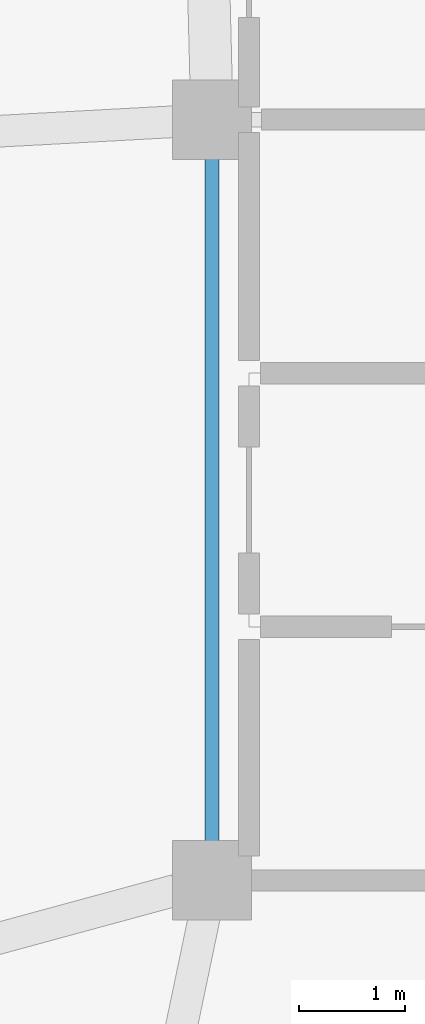
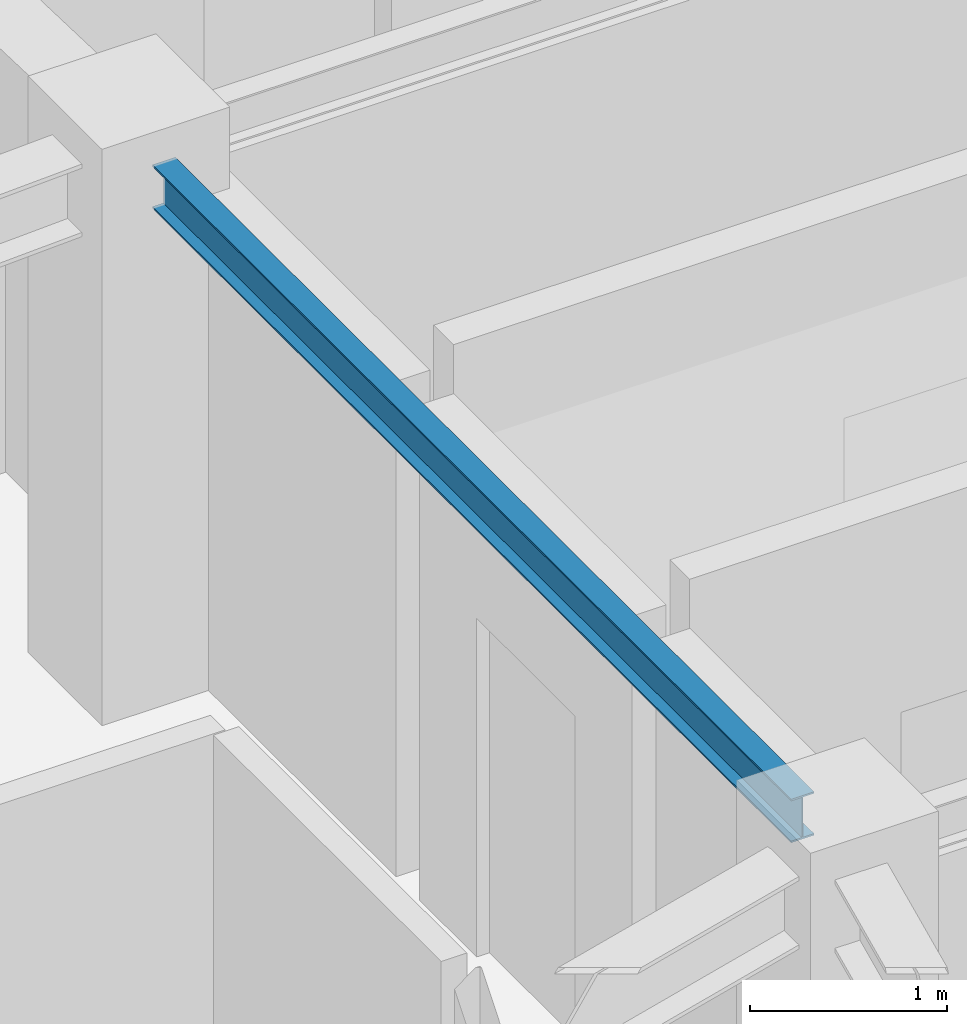
# One storey, part 6 of 25: 1 beam.
"""IFC4 building model written with IfcOpenShell, lengths in metres."""

import ifcopenshell
import ifcopenshell.guid

model = None  # the IFC model being written
_history = None  # IfcOwnerHistory: only IFC2X3 demands one
_inside = {}  # id of a spatial element -> (the spatial element, [elements in it])
_under = {}  # id of a project, library or spatial element -> (it, [spatial elements below it])
_declared = {}  # id of a project -> (the project, [libraries it declares])
_typed = {}  # id of a type object -> (the type object, [elements of that type])
_made_of = {}  # id of a material, layer set ... -> (it, [elements and type objects made of it])


def new_model(schema):
    """Start an empty IFC model of exactly this schema.

    Asked for "IFC4X3", IfcOpenShell would pick the latest addendum, in which some entities
    have other attributes; the version numbers below select the first issue.
    IFC2X3 requires an IfcOwnerHistory on every rooted entity: one is made here for all.
    """
    global model, _history
    if schema == "IFC4X3":
        model = ifcopenshell.file(schema_version=(4, 3, 0, 0))
    else:
        model = ifcopenshell.file(schema=schema)
    _inside.clear()
    _under.clear()
    _declared.clear()
    _typed.clear()
    _made_of.clear()
    _history = None
    if model.schema == "IFC2X3":
        org = make("IfcOrganization", Name="unknown")
        user = make(
            "IfcPersonAndOrganization",
            ThePerson=make("IfcPerson", FamilyName="unknown"),
            TheOrganization=org,
        )
        app = make(
            "IfcApplication",
            ApplicationDeveloper=org,
            Version="unknown",
            ApplicationFullName="unknown",
            ApplicationIdentifier="unknown",
        )
        _history = make(
            "IfcOwnerHistory",
            OwningUser=user,
            OwningApplication=app,
            ChangeAction="ADDED",
            CreationDate=0,
        )
    return model


def make(cls, **values):
    """One entity of the class cls with the attributes given. An attribute that is None is left unset."""
    return model.create_entity(
        cls, **{name: value for name, value in values.items() if value is not None}
    )


def rooted(cls, **values):
    """An entity with a GlobalId (a new one), such as an element, a storey or a relation."""
    return make(cls, GlobalId=ifcopenshell.guid.new(), OwnerHistory=_history, **values)


def si_unit(unit_type, name, prefix=None):
    """IfcSIUnit, for example si_unit("LENGTHUNIT", "METRE", prefix="MILLI")."""
    return make("IfcSIUnit", UnitType=unit_type, Prefix=prefix, Name=name)


def assignment(units):
    """IfcUnitAssignment: the units of a project."""
    return None if units is None else make("IfcUnitAssignment", Units=units)


def point(xyz):
    """IfcCartesianPoint."""
    return None if xyz is None else make("IfcCartesianPoint", Coordinates=xyz)


def direction(xyz):
    """IfcDirection."""
    return None if xyz is None else make("IfcDirection", DirectionRatios=xyz)


def frame(location, z_axis=None, x_axis=None):
    """IfcAxis2Placement3D, a coordinate frame: its origin and axes. An axis left out is left unset."""
    return make(
        "IfcAxis2Placement3D",
        Location=point(location),
        Axis=direction(z_axis),
        RefDirection=direction(x_axis),
    )


def frame_2d(location, x_axis=None):
    """IfcAxis2Placement2D, a coordinate frame in the plane: its origin and x axis."""
    return make(
        "IfcAxis2Placement2D", Location=point(location), RefDirection=direction(x_axis)
    )


def origin():
    """The frame at (0, 0, 0) with its axes left unset."""
    return frame((0.0, 0.0, 0.0))


def origin_2d():
    """The frame at (0, 0) in the plane with its x axis left unset."""
    return frame_2d((0.0, 0.0))


def place(relative_to, where):
    """IfcLocalPlacement: puts the frame where relative to a parent placement (None: the world)."""
    return make(
        "IfcLocalPlacement", PlacementRelTo=relative_to, RelativePlacement=where
    )


def context(
    kind, dimensions, precision=None, world=None, true_north=None, identifier=None
):
    """IfcGeometricRepresentationContext, for example the 3D "Model" context."""
    return make(
        "IfcGeometricRepresentationContext",
        ContextIdentifier=identifier,
        ContextType=kind,
        CoordinateSpaceDimension=dimensions,
        Precision=precision,
        WorldCoordinateSystem=world,
        TrueNorth=true_north,
    )


def subcontext(parent, identifier, kind, view, scale=None):
    """IfcGeometricRepresentationSubContext, for example "Body" below "Model"."""
    return make(
        "IfcGeometricRepresentationSubContext",
        ContextIdentifier=identifier,
        ContextType=kind,
        ParentContext=parent,
        TargetScale=scale,
        TargetView=view,
    )


def project(units=None, contexts=None):
    """IfcProject with its units and contexts."""
    return rooted(
        "IfcProject",
        Name="project",
        RepresentationContexts=contexts,
        UnitsInContext=assignment(units),
    )


def spatial(cls, under=None, at=None, **own):
    """A site, building, storey or space (cls), placed at a placement, below another one or the project."""
    s = rooted(cls, ObjectPlacement=at, **own)
    if under is not None:
        _under.setdefault(under.id(), (under, []))[1].append(s)
    return s


def profile(cls, at=None, kind="AREA", **sizes):
    """A parametric profile (cls). Its sizes go by their IFC names, for example OverallWidth=200.0."""
    return make(cls, ProfileType=kind, Position=at, **sizes)


def i_section(**sizes):
    """IfcIShapeProfileDef."""
    return profile("IfcIShapeProfileDef", **sizes)


def extrude(swept, where, along, depth):
    """IfcExtrudedAreaSolid: the profile swept, set in the frame where, extruded along a direction by depth."""
    return make(
        "IfcExtrudedAreaSolid",
        SweptArea=swept,
        Position=where,
        ExtrudedDirection=direction(along),
        Depth=depth,
    )


def shape(context_of_items, identifier, shape_type, items):
    """IfcShapeRepresentation: the items that make up one representation, for example the "Body"."""
    return make(
        "IfcShapeRepresentation",
        ContextOfItems=context_of_items,
        RepresentationIdentifier=identifier,
        RepresentationType=shape_type,
        Items=items,
    )


def material(Name=None, Category=None):
    """IfcMaterial."""
    return make("IfcMaterial", Name=Name, Category=Category)


def material_profile(
    of_material, cross_section, Name=None, Category=None, Priority=None
):
    """IfcMaterialProfile: a cross section and its material."""
    return make(
        "IfcMaterialProfile",
        Name=Name,
        Material=of_material,
        Profile=cross_section,
        Priority=Priority,
        Category=Category,
    )


def profile_set(profiles, Name=None, composite=None):
    """IfcMaterialProfileSet."""
    return make(
        "IfcMaterialProfileSet",
        Name=Name,
        MaterialProfiles=profiles,
        CompositeProfile=composite,
    )


def made_of(thing, what):
    """Note that an element or type object is made of a material, layer set ...; save() writes the relation."""
    if what is not None:
        _made_of.setdefault(what.id(), (what, []))[1].append(thing)
    return thing


def type_object(cls, material=None, **own):
    """A type object (cls), such as IfcWallType, which elements share."""
    return made_of(rooted(cls, **own), material)


def element(
    cls,
    number,
    at=None,
    inside=None,
    cuts=None,
    type_object=None,
    material=None,
    context=None,
    identifier="Body",
    shape_type=None,
    held_by="IfcProductDefinitionShape",
    body=None,
    shapes=None,
    **own,
):
    """One element of the class cls, such as IfcWall. Its Tag is "e" and its number.

    at: its placement. inside: the storey or other place that contains it. cuts: it is an
    opening in that element (IfcRelVoidsElement). A single representation is given by context,
    identifier, shape_type and body (its items); several are given by shapes. held_by: the class
    of the entity that holds the representations. save() writes the other relations.
    """
    e = rooted(cls, Tag="e%d" % number, ObjectPlacement=at, **own)
    if body is not None:
        shapes = [shape(context, identifier, shape_type, body)]
    if shapes is not None:
        e.Representation = make(held_by, Representations=shapes)
    if inside is not None:
        _inside.setdefault(inside.id(), (inside, []))[1].append(e)
    if cuts is not None:
        rooted(
            "IfcRelVoidsElement", RelatingBuildingElement=cuts, RelatedOpeningElement=e
        )
    if type_object is not None:
        _typed.setdefault(type_object.id(), (type_object, []))[1].append(e)
    return made_of(e, material)


def aggregate(whole, parts):
    """IfcRelAggregates: a whole, such as a stair, and the parts it consists of."""
    return rooted("IfcRelAggregates", RelatingObject=whole, RelatedObjects=parts)


def save(model, path):
    """Write the relations noted so far, then the file.

    IfcRelAggregates (storeys below a building ...), IfcRelContainedInSpatialStructure (elements
    in a storey), IfcRelDefinesByType, IfcRelAssociatesMaterial and IfcRelDeclares: one each for
    every whole, place, type object, material and project.
    """
    for whole, parts in _under.values():
        aggregate(whole, parts)
    for where, things in _inside.values():
        rooted(
            "IfcRelContainedInSpatialStructure",
            RelatedElements=things,
            RelatingStructure=where,
        )
    for kind, things in _typed.values():
        rooted("IfcRelDefinesByType", RelatedObjects=things, RelatingType=kind)
    for what, things in _made_of.values():
        rooted("IfcRelAssociatesMaterial", RelatedObjects=things, RelatingMaterial=what)
    for by, libraries in _declared.values():
        rooted("IfcRelDeclares", RelatingContext=by, RelatedDefinitions=libraries)
    model.write(path)


model = new_model("IFC4")

# Units and contexts
model_context = context("Model", 3, precision=1e-05, world=origin(), true_north=direction((0.0, 1.0)))
body_context = subcontext(model_context, "Body", "Model", "MODEL_VIEW")
ifc_project = project(units=[si_unit("LENGTHUNIT", "METRE"), si_unit("AREAUNIT", "SQUARE_METRE"), si_unit("VOLUMEUNIT", "CUBIC_METRE"), si_unit("PLANEANGLEUNIT", "RADIAN"), si_unit("MASSUNIT", "GRAM", prefix="KILO")], contexts=[model_context])

# Site, building, storey
site_placement = place(None, origin())
site = spatial("IfcSite", under=ifc_project, at=site_placement, CompositionType="ELEMENT")
building_placement = place(site_placement, origin())
building = spatial("IfcBuilding", under=site, at=building_placement, Name="Varnakorn Sky Granary", CompositionType="ELEMENT")
storey_placement = place(building_placement, frame((0.0, 0.0, 259.800048828125)))
storey = spatial("IfcBuildingStorey", under=building, at=storey_placement, Name="L66", CompositionType="ELEMENT", Elevation=259.800048828125)

# Beam
ifc_material = material(Name="Steel S355JR", Category="steel")
ifc_material_profile = material_profile(ifc_material, i_section(OverallWidth=0.135009765625, OverallDepth=0.27001953125, WebThickness=0.006591796875, FlangeThickness=0.01025390625, at=origin_2d()), Name="IPE 270")
ifc_profile_set = profile_set([ifc_material_profile], Name="Steel S355JR")
beam_type = type_object("IfcBeamType", Name="BM-SEC-Z5", PredefinedType="BEAM", material=ifc_profile_set)
beam_placement = place(storey_placement, frame((-2.35009765625, 0.2451171875, 3.224853515625), z_axis=(0.0, -1.0, 0.0), x_axis=(1.0, 0.0, 0.0)))
element("IfcBeam", 1, at=beam_placement, inside=storey, type_object=beam_type, Name="Core Spine Framing Beam 3 L66", PredefinedType="BEAM", context=body_context, shape_type="SweptSolid", body=[
    extrude(i_section(OverallWidth=0.135009765625, OverallDepth=0.27001953125, WebThickness=0.006591796875, FlangeThickness=0.01025390625, at=origin_2d()), origin(), (0.0, 0.0, 1.0), 6.490234375),
])

save(model, "model.ifc")
